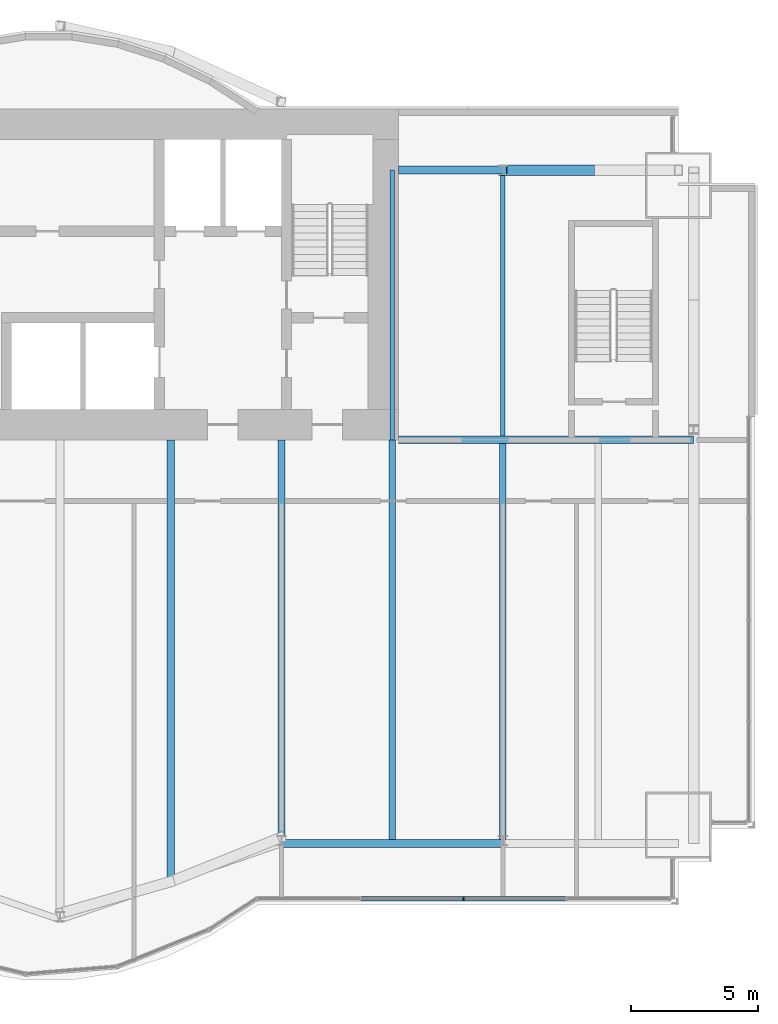
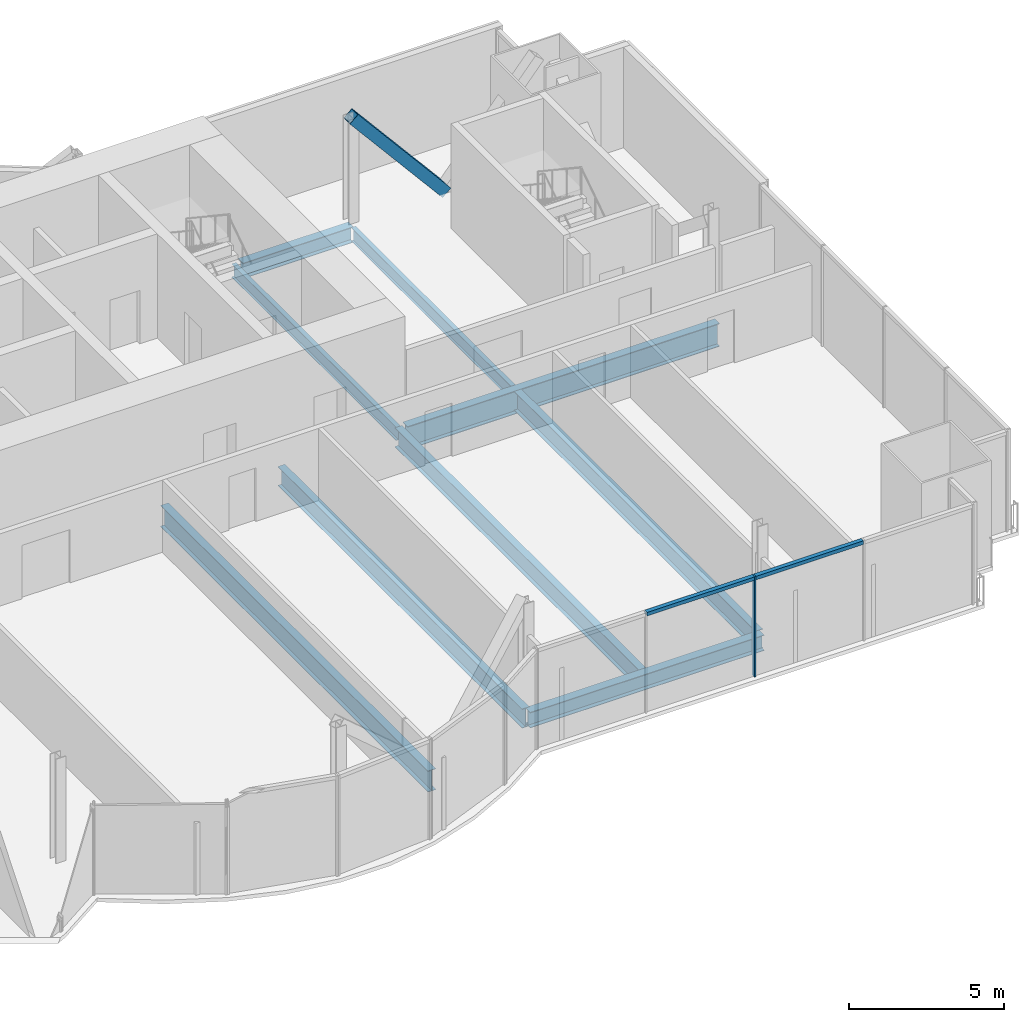
# One storey, part 9 of 20: 9 beams, 4 members, 1 element without a shape of its own.
"""IFC4 building model written with IfcOpenShell, lengths in metres."""

from ifc_helpers import new_model, si_unit, direction, frame, origin, origin_2d, place, context, subcontext, project, spatial, rectangle, hollow_rectangle, i_section, extrude, material, material_profile, profile_set, type_object, element, aggregate, save


model = new_model("IFC4")

# Units and contexts
model_context = context("Model", 3, precision=1e-05, world=origin(), true_north=direction((0.0, 1.0)))
body_context = subcontext(model_context, "Body", "Model", "MODEL_VIEW")
ifc_project = project(units=[si_unit("LENGTHUNIT", "METRE"), si_unit("AREAUNIT", "SQUARE_METRE"), si_unit("VOLUMEUNIT", "CUBIC_METRE"), si_unit("PLANEANGLEUNIT", "RADIAN"), si_unit("MASSUNIT", "GRAM", prefix="KILO")], contexts=[model_context])

# Site, building, storey
site_placement = place(None, origin())
site = spatial("IfcSite", under=ifc_project, at=site_placement, CompositionType="ELEMENT")
building_placement = place(site_placement, origin())
building = spatial("IfcBuilding", under=site, at=building_placement, Name="Bicima Exchange Tower", CompositionType="ELEMENT")
storey_placement = place(building_placement, frame((0.0, 0.0, 223.699951171875)))
storey = spatial("IfcBuildingStorey", under=building, at=storey_placement, Name="L50", CompositionType="ELEMENT", Elevation=223.699951171875)

# Beams
ifc_material_1 = material(Name="Steel ASTM A992 Gr 50", Category="steel")
ifc_material_profile_1 = material_profile(ifc_material_1, i_section(OverallWidth=0.3046875, OverallDepth=0.911865234375, WebThickness=0.015869140625, FlangeThickness=0.02392578125, at=origin_2d()))
ifc_profile_set_1 = profile_set([ifc_material_profile_1], Name="Steel ASTM A992 Gr 50")
beam_type_1 = type_object("IfcBeamType", Name="Core-line girder W36x150", PredefinedType="BEAM", material=ifc_profile_set_1)
beam_1_placement = place(storey_placement, frame((22.0, -13.0, -0.60595703125), z_axis=(1.0, 0.0, 0.0), x_axis=(0.0, 1.0, 0.0)))
element("IfcBeam", 1, at=beam_1_placement, inside=storey, type_object=beam_type_1, Name="Core-line girder", PredefinedType="BEAM", context=body_context, shape_type="SweptSolid", body=[
    extrude(i_section(OverallWidth=0.3046875, OverallDepth=0.911865234375, WebThickness=0.015869140625, FlangeThickness=0.02392578125, at=origin_2d()), origin(), (0.0, 0.0, 1.0), 11.60009765625),
])
ifc_material_profile_2 = material_profile(ifc_material_1, i_section(OverallWidth=0.165771484375, OverallDepth=0.5283203125, WebThickness=0.009765625, FlangeThickness=0.013671875, at=origin_2d()))
ifc_profile_set_2 = profile_set([ifc_material_profile_2], Name="Steel ASTM A992 Gr 50")
beam_type_2 = type_object("IfcBeamType", Name="Floor beam W21x50", PredefinedType="JOIST", material=ifc_profile_set_2)
beam_2_placement = place(storey_placement, frame((21.75, -2.39990234375, -0.4140625), z_axis=(0.0, -1.0, 0.0), x_axis=(1.0, 0.0, 0.0)))
element("IfcBeam", 2, at=beam_2_placement, inside=storey, type_object=beam_type_2, Name="Floor beam", PredefinedType="JOIST", context=body_context, shape_type="SweptSolid", body=[
    extrude(i_section(OverallWidth=0.165771484375, OverallDepth=0.5283203125, WebThickness=0.009765625, FlangeThickness=0.013671875, at=origin_2d()), origin(), (0.0, 0.0, 1.0), 10.60009765625),
])
beam_3_placement = place(storey_placement, frame((26.10009765625, -2.5625, -0.4140625), z_axis=(0.0, -1.0, 0.0), x_axis=(1.0, 0.0, 0.0)))
element("IfcBeam", 3, at=beam_3_placement, inside=storey, type_object=beam_type_2, Name="Floor beam", PredefinedType="JOIST", context=body_context, shape_type="SweptSolid", body=[
    extrude(i_section(OverallWidth=0.165771484375, OverallDepth=0.5283203125, WebThickness=0.009765625, FlangeThickness=0.013671875, at=origin_2d()), origin(), (0.0, 0.0, 1.0), 10.28515625),
])
ifc_material_profile_3 = material_profile(ifc_material_1, i_section(OverallWidth=0.2666015625, OverallDepth=0.75439453125, WebThickness=0.01318359375, FlangeThickness=0.01708984375, at=origin_2d()))
ifc_profile_set_3 = profile_set([ifc_material_profile_3], Name="Steel ASTM A992 Gr 50")
beam_type_3 = type_object("IfcBeamType", Name="Floor beam W30x99", PredefinedType="JOIST", material=ifc_profile_set_3)
beam_4_placement = place(storey_placement, frame((17.39990234375, -13.0, -0.527099609375), z_axis=(0.0, -1.0, 0.0), x_axis=(1.0, 0.0, 0.0)))
element("IfcBeam", 4, at=beam_4_placement, inside=storey, type_object=beam_type_3, Name="Floor beam", PredefinedType="JOIST", context=body_context, shape_type="SweptSolid", body=[
    extrude(i_section(OverallWidth=0.2666015625, OverallDepth=0.75439453125, WebThickness=0.01318359375, FlangeThickness=0.01708984375, at=origin_2d()), origin(), (0.0, 0.0, 1.0), 15.728515625),
])
beam_5_placement = place(storey_placement, frame((21.75, -13.0, -0.527099609375), z_axis=(0.0, -1.0, 0.0), x_axis=(1.0, 0.0, 0.0)))
element("IfcBeam", 5, at=beam_5_placement, inside=storey, type_object=beam_type_3, Name="Floor beam", PredefinedType="JOIST", context=body_context, shape_type="SweptSolid", body=[
    extrude(i_section(OverallWidth=0.2666015625, OverallDepth=0.75439453125, WebThickness=0.01318359375, FlangeThickness=0.01708984375, at=origin_2d()), origin(), (0.0, 0.0, 1.0), 15.701416015625),
])
beam_6_placement = place(storey_placement, frame((26.10009765625, -13.15234375, -0.527099609375), z_axis=(0.0, -1.0, 0.0), x_axis=(1.0, 0.0, 0.0)))
element("IfcBeam", 6, at=beam_6_placement, inside=storey, type_object=beam_type_3, Name="Floor beam", PredefinedType="JOIST", context=body_context, shape_type="SweptSolid", body=[
    extrude(i_section(OverallWidth=0.2666015625, OverallDepth=0.75439453125, WebThickness=0.01318359375, FlangeThickness=0.01708984375, at=origin_2d()), origin(), (0.0, 0.0, 1.0), 15.549072265625),
])
ifc_material_profile_4 = material_profile(ifc_material_1, i_section(OverallWidth=0.2919921875, OverallDepth=0.835693359375, WebThickness=0.013916015625, FlangeThickness=0.018798828125, at=origin_2d()))
ifc_profile_set_4 = profile_set([ifc_material_profile_4], Name="Steel ASTM A992 Gr 50")
beam_type_4 = type_object("IfcBeamType", Name="Floor beam W33x118", PredefinedType="JOIST", material=ifc_profile_set_4)
beam_7_placement = place(storey_placement, frame((13.050048828125, -13.0, -0.56787109375), z_axis=(0.0, -1.0, 0.0), x_axis=(1.0, 0.0, 0.0)))
element("IfcBeam", 7, at=beam_7_placement, inside=storey, type_object=beam_type_4, Name="Floor beam", PredefinedType="JOIST", context=body_context, shape_type="SweptSolid", body=[
    extrude(i_section(OverallWidth=0.2919921875, OverallDepth=0.835693359375, WebThickness=0.013916015625, FlangeThickness=0.018798828125, at=origin_2d()), origin(), (0.0, 0.0, 1.0), 17.223876953125),
])
ifc_material_profile_5 = material_profile(ifc_material_1, i_section(OverallWidth=0.3251953125, OverallDepth=0.612060546875, WebThickness=0.0126953125, FlangeThickness=0.01904296875, at=origin_2d()))
ifc_profile_set_5 = profile_set([ifc_material_profile_5], Name="Steel ASTM A992 Gr 50")
beam_type_5 = type_object("IfcBeamType", Name="Front girder W24x104", PredefinedType="BEAM", material=ifc_profile_set_5)
beam_8_placement = place(storey_placement, frame((17.39990234375, -28.864013671875, -0.4560546875), z_axis=(1.0, 0.0, 0.0), x_axis=(0.0, 1.0, 0.0)))
element("IfcBeam", 8, at=beam_8_placement, inside=storey, type_object=beam_type_5, Name="Front girder", PredefinedType="BEAM", context=body_context, shape_type="SweptSolid", body=[
    extrude(i_section(OverallWidth=0.3251953125, OverallDepth=0.612060546875, WebThickness=0.0126953125, FlangeThickness=0.01904296875, at=origin_2d()), origin(), (0.0, 0.0, 1.0), 8.7001953125),
])

# Curtain wall, members
ifc_material_2 = material(Name="Anodised bronze aluminium", Category="aluminium")
curtain_wall_type = type_object("IfcCurtainWallType", Name="Front glass wall", PredefinedType="NOTDEFINED", material=ifc_material_2)
curtain_wall_placement = place(storey_placement, origin())
curtain_wall = element("IfcCurtainWall", 9, at=curtain_wall_placement, inside=storey, type_object=curtain_wall_type, Name="Front glass wall L50 run 16", PredefinedType="NOTDEFINED")
ifc_material_profile_6 = material_profile(ifc_material_2, rectangle(XDim=0.159912109375, YDim=0.06005859375, at=origin_2d()))
ifc_profile_set_6 = profile_set([ifc_material_profile_6], Name="Anodised bronze aluminium")
member_type_1 = type_object("IfcMemberType", Name="Front glass wall mullion 60 x 160", PredefinedType="MULLION", material=ifc_profile_set_6)
member_1_placement = place(storey_placement, frame((24.56103515625, -31.033935546875, 0.0), z_axis=(0.0, 0.0, 1.0), x_axis=(0.0, 1.0, 0.0)))
member_1 = element("IfcMember", 10, at=member_1_placement, type_object=member_type_1, Name="Front glass wall mullion 3", PredefinedType="MULLION", context=body_context, shape_type="SweptSolid", body=[
    extrude(rectangle(XDim=0.159912109375, YDim=0.06005859375, at=origin_2d()), origin(), (0.0, 0.0, 1.0), 3.949951171875),
])
ifc_material_profile_7 = material_profile(ifc_material_2, rectangle(XDim=0.159912109375, YDim=0.139892578125, at=origin_2d()))
ifc_profile_set_7 = profile_set([ifc_material_profile_7], Name="Anodised bronze aluminium")
member_type_2 = type_object("IfcMemberType", Name="Front glass wall transom 140 x 160", PredefinedType="USERDEFINED", material=ifc_profile_set_7)
member_2_placement = place(storey_placement, frame((20.54150390625, -31.033935546875, 3.880126953125), z_axis=(1.0, 0.0, 0.0), x_axis=(0.0, 1.0, 0.0)))
member_2 = element("IfcMember", 11, at=member_2_placement, type_object=member_type_2, Name="Front glass wall transom 2.1", ObjectType="TRANSOM", PredefinedType="USERDEFINED", context=body_context, shape_type="SweptSolid", body=[
    extrude(rectangle(XDim=0.159912109375, YDim=0.139892578125, at=origin_2d()), origin(), (0.0, 0.0, 1.0), 3.989501953125),
])
member_3_placement = place(storey_placement, frame((24.591064453125, -31.033935546875, 3.880126953125), z_axis=(1.0, 0.0, 0.0), x_axis=(0.0, 1.0, 0.0)))
member_3 = element("IfcMember", 12, at=member_3_placement, type_object=member_type_2, Name="Front glass wall transom 3.1", ObjectType="TRANSOM", PredefinedType="USERDEFINED", context=body_context, shape_type="SweptSolid", body=[
    extrude(rectangle(XDim=0.159912109375, YDim=0.139892578125, at=origin_2d()), origin(), (0.0, 0.0, 1.0), 3.989501953125),
])
aggregate(curtain_wall, [member_1, member_2, member_3])

# Member
ifc_material_3 = material(Name="Steel ASTM A572 Gr 50", Category="steel")
ifc_material_profile_8 = material_profile(ifc_material_3, hollow_rectangle(XDim=0.406494140625, YDim=0.406494140625, WallThickness=0.0146484375, at=origin_2d()))
ifc_profile_set_8 = profile_set([ifc_material_profile_8], Name="Steel ASTM A572 Gr 50")
member_type_3 = type_object("IfcMemberType", Name="Mega brace HSS16x16x5/8", PredefinedType="BRACE", material=ifc_profile_set_8)
member_4_placement = place(storey_placement, frame((29.550048828125, -2.39990234375, 0.0), z_axis=(-0.643834042494, 0.0, 0.765165162384), x_axis=(0.0, -1.0, 0.0)))
element("IfcMember", 13, at=member_4_placement, inside=storey, type_object=member_type_3, Name="Mega brace rear", PredefinedType="BRACE", context=body_context, shape_type="SweptSolid", body=[
    extrude(hollow_rectangle(XDim=0.406494140625, YDim=0.406494140625, WallThickness=0.0146484375, at=origin_2d()), origin(), (0.0, 0.0, 1.0), 5.3583984375),
])

# Beam
beam_type_6 = type_object("IfcBeamType", Name="Rear girder W24x104", PredefinedType="BEAM", material=ifc_profile_set_5)
beam_9_placement = place(storey_placement, frame((22.0, -2.39990234375, -0.4560546875), z_axis=(1.0, 0.0, 0.0), x_axis=(0.0, 1.0, 0.0)))
element("IfcBeam", 14, at=beam_9_placement, inside=storey, type_object=beam_type_6, Name="Rear girder", PredefinedType="BEAM", context=body_context, shape_type="SweptSolid", body=[
    extrude(i_section(OverallWidth=0.3251953125, OverallDepth=0.612060546875, WebThickness=0.0126953125, FlangeThickness=0.01904296875, at=origin_2d()), origin(), (0.0, 0.0, 1.0), 4.10009765625),
])

save(model, "model.ifc")
